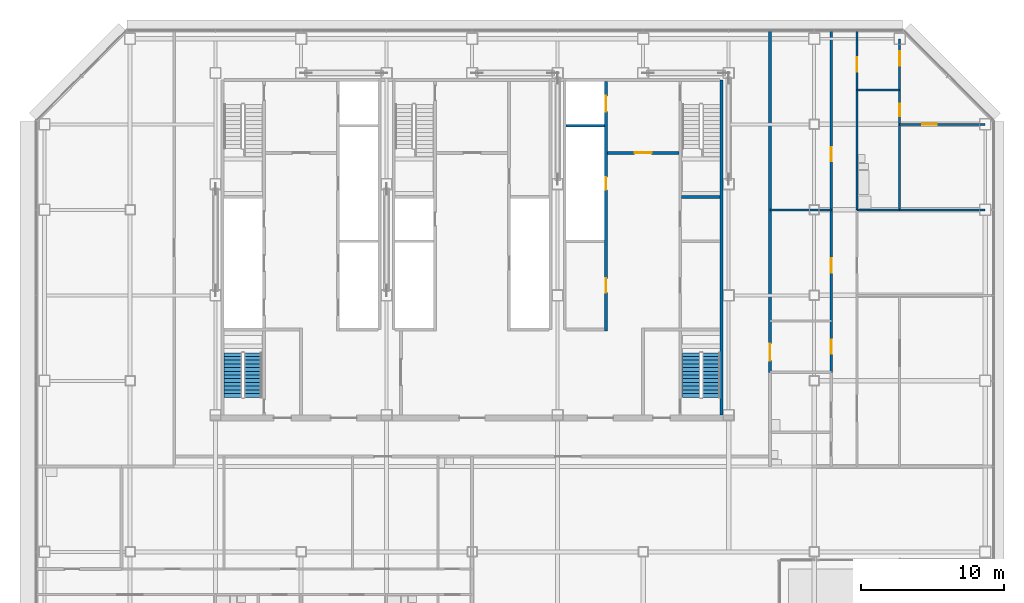
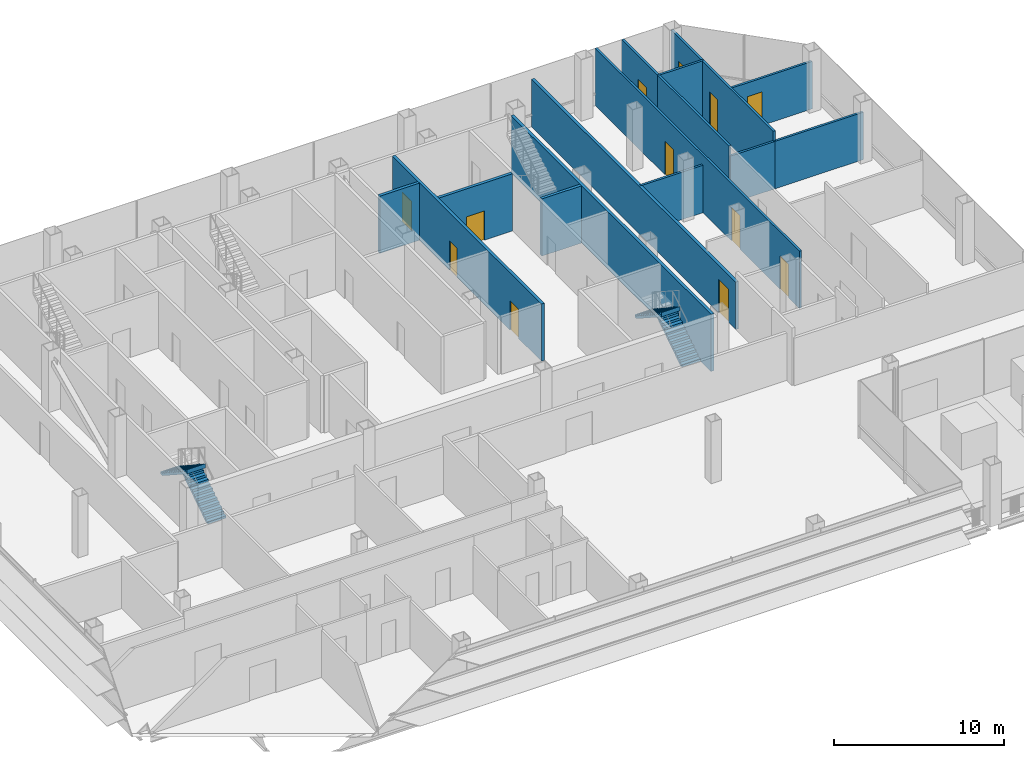
# One storey, part 22 of 28: 16 walls, 12 doors, 4 stair flights, 12 openings, 2 elements without a shape of their own.
"""IFC4 building model written with IfcOpenShell, lengths in metres."""

from ifc_helpers import new_model, si_unit, direction, frame, frame_2d, origin, place, context, subcontext, project, spatial, polyline, rectangle, outline, extrude, material, layer, layer_set, type_object, element, fill, aggregate, save


model = new_model("IFC4")

# Units and contexts
model_context = context("Model", 3, precision=1e-05, world=origin(), true_north=direction((0.0, 1.0)))
body_context = subcontext(model_context, "Body", "Model", "MODEL_VIEW")
ifc_project = project(units=[si_unit("LENGTHUNIT", "METRE"), si_unit("AREAUNIT", "SQUARE_METRE"), si_unit("VOLUMEUNIT", "CUBIC_METRE"), si_unit("PLANEANGLEUNIT", "RADIAN"), si_unit("MASSUNIT", "GRAM", prefix="KILO")], contexts=[model_context])

# Site, building, storey
site_placement = place(None, origin())
site = spatial("IfcSite", under=ifc_project, at=site_placement, CompositionType="ELEMENT")
building_placement = place(site_placement, origin())
building = spatial("IfcBuilding", under=site, at=building_placement, Name="Sorahane Residences", CompositionType="ELEMENT")
storey_placement = place(building_placement, frame((0.0, 0.0, 134.0)))
storey = spatial("IfcBuildingStorey", under=building, at=storey_placement, Name="L30", CompositionType="ELEMENT", Elevation=134.0)

# Wall
ifc_material_1 = material(Name="Concrete C30", Category="concrete")
ifc_layer_1 = layer(ifc_material_1, 0.199951171875)
ifc_layer_set_1 = layer_set([ifc_layer_1], Name="Core face wall 200 EI 180")
wall_type_1 = type_object("IfcWallType", Name="Core face wall 200 EI 180", PredefinedType="SOLIDWALL", material=ifc_layer_set_1)
wall_1_placement = place(storey_placement, frame((41.5, 21.60009765625, 0.0), z_axis=(0.0, 0.0, 1.0), x_axis=(0.0, 1.0, 0.0)))
element("IfcWall", 1, at=wall_1_placement, inside=storey, type_object=wall_type_1, Name="L30 core face wall", PredefinedType="SOLIDWALL", context=body_context, shape_type="SweptSolid", body=[
    extrude(rectangle(XDim=23.5, YDim=0.199951171875, at=frame_2d((11.75, 0.0))), origin(), (0.0, 0.0, 1.0), 4.10009765625),
])

# Wall, opening, door
ifc_material_2 = material(Name="Concrete blockwork C20 wall", Category="masonry")
ifc_layer_2 = layer(ifc_material_2, 0.199951171875)
ifc_layer_set_2 = layer_set([ifc_layer_2], Name="Corridor wall 200 EI 120")
wall_type_2 = type_object("IfcWallType", Name="Corridor wall 200 EI 120", PredefinedType="SOLIDWALL", material=ifc_layer_set_2)
wall_2_placement = place(storey_placement, frame((44.89990234375, 24.60009765625, 0.0), z_axis=(0.0, 0.0, 1.0), x_axis=(0.0, 1.0, 0.0)))
wall_2 = element("IfcWall", 2, at=wall_2_placement, inside=storey, type_object=wall_type_2, Name="L30 corridor wall", PredefinedType="SOLIDWALL", context=body_context, shape_type="SweptSolid", body=[
    extrude(rectangle(XDim=24.0, YDim=0.199951171875, at=frame_2d((12.0, 0.0))), origin(), (0.0, 0.0, 1.0), 3.39990234375),
])
opening_1_placement = place(wall_2_placement, frame((0.820068359375, 0.0, 0.0)))
opening_1 = element("IfcOpeningElement", 3, at=opening_1_placement, cuts=wall_2, Name="Opening L30-28", PredefinedType="OPENING", context=body_context, shape_type="SweptSolid", body=[
    extrude(rectangle(XDim=1.199951171875, YDim=2.39990234375, at=frame_2d((0.60009765625, 1.199951171875))), frame((0.0, 0.10986328125, 0.0), z_axis=(0.0, -1.0, 0.0), x_axis=(1.0, 0.0, 0.0)), (0.0, 0.0, 1.0), 0.219970703125),
])
ifc_material_3 = material(Name="Timber veneered fire door", Category="wood")
door_type_1 = type_object("IfcDoorType", Name="Flat entrance door 1200x2400 FD60", OperationType="NOTDEFINED", PredefinedType="DOOR", material=ifc_material_3)
door_1_placement = place(opening_1_placement, frame((1.199951171875, 0.0, 0.0), z_axis=(0.0, 0.0, 1.0), x_axis=(-1.0, 0.0, 0.0)))
door_1 = element("IfcDoor", 4, at=door_1_placement, inside=storey, type_object=door_type_1, Name="Flat entrance door L30-28", OperationType="SINGLE_SWING_RIGHT", OverallHeight=2.39990234375, OverallWidth=1.199951171875, PredefinedType="DOOR", context=body_context, shape_type="SweptSolid", body=[
    extrude(rectangle(XDim=1.199951171875, YDim=2.39990234375, at=frame_2d((0.60009765625, 1.199951171875))), frame((0.0, 0.02490234375, 0.0), z_axis=(0.0, -1.0, 0.0), x_axis=(1.0, 0.0, 0.0)), (0.0, 0.0, 1.0), 0.050048828125),
])
fill(opening_1, door_1)

ifc_material_4 = material(Name="Concrete C30", Category="concrete")
ifc_layer_3 = layer(ifc_material_4, 0.199951171875)
ifc_layer_set_3 = layer_set([ifc_layer_3], Name="Front room wall 200 EI 120")
wall_type_3 = type_object("IfcWallType", Name="Front room wall 200 EI 120", PredefinedType="PARTITIONING", material=ifc_layer_set_3)
wall_3_placement = place(storey_placement, frame((33.5, 40.0, 0.0), z_axis=(0.0, 0.0, 1.0), x_axis=(1.0, 0.0, 0.0)))
wall_3 = element("IfcWall", 5, at=wall_3_placement, inside=storey, type_object=wall_type_3, Name="L30 front room wall", PredefinedType="PARTITIONING", context=body_context, shape_type="SweptSolid", body=[
    extrude(rectangle(XDim=5.0, YDim=0.199951171875, at=frame_2d((2.5, 0.0))), origin(), (0.0, 0.0, 1.0), 4.10009765625),
])
opening_2_placement = place(wall_3_placement, frame((1.89990234375, 0.0, 0.0)))
opening_2 = element("IfcOpeningElement", 6, at=opening_2_placement, cuts=wall_3, Name="Opening L30-C09", PredefinedType="OPENING", context=body_context, shape_type="SweptSolid", body=[
    extrude(rectangle(XDim=1.199951171875, YDim=2.10009765625, at=frame_2d((0.60009765625, 1.050048828125))), frame((0.0, 0.10986328125, 0.0), z_axis=(0.0, -1.0, 0.0), x_axis=(1.0, 0.0, 0.0)), (0.0, 0.0, 1.0), 0.219970703125),
])
ifc_material_5 = material(Name="Steel", Category="steel")
door_type_2 = type_object("IfcDoorType", Name="Front room door 1200x2100 FD120", OperationType="NOTDEFINED", PredefinedType="DOOR", material=ifc_material_5)
door_2_placement = place(opening_2_placement, frame((1.199951171875, 0.0, 0.0), z_axis=(0.0, 0.0, 1.0), x_axis=(-1.0, 0.0, 0.0)))
door_2 = element("IfcDoor", 7, at=door_2_placement, inside=storey, type_object=door_type_2, Name="Front room door Firefighting lobby FF2 front room L30", OperationType="DOUBLE_DOOR_SINGLE_SWING", OverallHeight=2.10009765625, OverallWidth=1.199951171875, PredefinedType="DOOR", context=body_context, shape_type="SweptSolid", body=[
    extrude(rectangle(XDim=1.199951171875, YDim=2.10009765625, at=frame_2d((0.60009765625, 1.050048828125))), frame((0.0, 0.02490234375, 0.0), z_axis=(0.0, -1.0, 0.0), x_axis=(1.0, 0.0, 0.0)), (0.0, 0.0, 1.0), 0.050048828125),
])
fill(opening_2, door_2)

# Wall, openings, doors
ifc_material_6 = material(Name="Concrete C30", Category="concrete")
ifc_layer_4 = layer(ifc_material_6, 0.199951171875)
ifc_layer_set_4 = layer_set([ifc_layer_4], Name="Lift shaft wall 200 EI 120")
wall_type_4 = type_object("IfcWallType", Name="Lift shaft wall 200 EI 120", PredefinedType="SOLIDWALL", material=ifc_layer_set_4)
wall_4_placement = place(storey_placement, frame((33.39990234375, 27.5, 0.0), z_axis=(0.0, 0.0, 1.0), x_axis=(0.0, 1.0, 0.0)))
wall_4 = element("IfcWall", 8, at=wall_4_placement, inside=storey, type_object=wall_type_4, Name="L30 lift shaft wall", PredefinedType="SOLIDWALL", context=body_context, shape_type="SweptSolid", body=[
    extrude(rectangle(XDim=17.5, YDim=0.199951171875, at=frame_2d((8.75, 0.0))), origin(), (0.0, 0.0, 1.0), 4.10009765625),
])
opening_3_placement = place(wall_4_placement, frame((15.39990234375, 0.0, 0.0)))
opening_3 = element("IfcOpeningElement", 9, at=opening_3_placement, cuts=wall_4, Name="Opening L30-C10", PredefinedType="OPENING", context=body_context, shape_type="SweptSolid", body=[
    extrude(rectangle(XDim=1.10009765625, YDim=2.10009765625, at=frame_2d((0.550048828125, 1.050048828125))), frame((0.0, 0.10986328125, 0.0), z_axis=(0.0, -1.0, 0.0), x_axis=(1.0, 0.0, 0.0)), (0.0, 0.0, 1.0), 0.219970703125),
])
opening_4_placement = place(wall_4_placement, frame((2.699951171875, 0.0, 0.0)))
opening_4 = element("IfcOpeningElement", 10, at=opening_4_placement, cuts=wall_4, Name="Opening L30-C19", PredefinedType="OPENING", context=body_context, shape_type="SweptSolid", body=[
    extrude(rectangle(XDim=1.0, YDim=2.10009765625, at=frame_2d((0.5, 1.050048828125))), frame((0.0, 0.10986328125, 0.0), z_axis=(0.0, -1.0, 0.0), x_axis=(1.0, 0.0, 0.0)), (0.0, 0.0, 1.0), 0.219970703125),
])
opening_5_placement = place(wall_4_placement, frame((9.89990234375, 0.0, 0.0)))
opening_5 = element("IfcOpeningElement", 11, at=opening_5_placement, cuts=wall_4, Name="Opening L30-C26", PredefinedType="OPENING", context=body_context, shape_type="SweptSolid", body=[
    extrude(rectangle(XDim=0.89990234375, YDim=2.10009765625, at=frame_2d((0.449951171875, 1.050048828125))), frame((0.0, 0.10986328125, 0.0), z_axis=(0.0, -1.0, 0.0), x_axis=(1.0, 0.0, 0.0)), (0.0, 0.0, 1.0), 0.219970703125),
])
ifc_material_7 = material(Name="Aluminium and stainless steel", Category="steel")
door_type_3 = type_object("IfcDoorType", Name="Lift landing door 1100x2100 E 60", OperationType="NOTDEFINED", PredefinedType="DOOR", material=ifc_material_7)
door_3_placement = place(opening_3_placement, origin())
door_3 = element("IfcDoor", 12, at=door_3_placement, inside=storey, type_object=door_type_3, Name="Lift landing door FF2 L30", OperationType="DOUBLE_DOOR_SLIDING", OverallHeight=2.10009765625, OverallWidth=1.10009765625, PredefinedType="DOOR", context=body_context, shape_type="SweptSolid", body=[
    extrude(rectangle(XDim=1.10009765625, YDim=2.10009765625, at=frame_2d((0.550048828125, 1.050048828125))), frame((0.0, 0.02490234375, 0.0), z_axis=(0.0, -1.0, 0.0), x_axis=(1.0, 0.0, 0.0)), (0.0, 0.0, 1.0), 0.050048828125),
])
fill(opening_3, door_3)
ifc_material_8 = material(Name="Steel", Category="steel")
door_type_4 = type_object("IfcDoorType", Name="Riser door 900x2100 FD120", OperationType="NOTDEFINED", PredefinedType="DOOR", material=ifc_material_8)
door_4_placement = place(opening_5_placement, frame((0.89990234375, 0.0, 0.0), z_axis=(0.0, 0.0, 1.0), x_axis=(-1.0, 0.0, 0.0)))
door_4 = element("IfcDoor", 13, at=door_4_placement, inside=storey, type_object=door_type_4, Name="Riser door R2 L30", OperationType="SINGLE_SWING_LEFT", OverallHeight=2.10009765625, OverallWidth=0.89990234375, PredefinedType="DOOR", context=body_context, shape_type="SweptSolid", body=[
    extrude(rectangle(XDim=0.89990234375, YDim=2.10009765625, at=frame_2d((0.449951171875, 1.050048828125))), frame((0.0, 0.02490234375, 0.0), z_axis=(0.0, -1.0, 0.0), x_axis=(1.0, 0.0, 0.0)), (0.0, 0.0, 1.0), 0.050048828125),
])
fill(opening_5, door_4)
ifc_material_9 = material(Name="Steel", Category="steel")
door_type_5 = type_object("IfcDoorType", Name="Service room door 1000x2100 FD60", OperationType="NOTDEFINED", PredefinedType="DOOR", material=ifc_material_9)
door_5_placement = place(opening_4_placement, origin())
door_5 = element("IfcDoor", 14, at=door_5_placement, inside=storey, type_object=door_type_5, Name="Service room door Flower room L30", OperationType="SINGLE_SWING_RIGHT", OverallHeight=2.10009765625, OverallWidth=1.0, PredefinedType="DOOR", context=body_context, shape_type="SweptSolid", body=[
    extrude(rectangle(XDim=1.0, YDim=2.10009765625, at=frame_2d((0.5, 1.050048828125))), frame((0.0, 0.02490234375, 0.0), z_axis=(0.0, -1.0, 0.0), x_axis=(1.0, 0.0, 0.0)), (0.0, 0.0, 1.0), 0.050048828125),
])
fill(opening_4, door_5)

# Wall
wall_5_placement = place(storey_placement, frame((30.60009765625, 41.89990234375, 0.0), z_axis=(0.0, 0.0, 1.0), x_axis=(1.0, 0.0, 0.0)))
element("IfcWall", 15, at=wall_5_placement, inside=storey, type_object=wall_type_4, Name="L30 lift shaft wall", PredefinedType="SOLIDWALL", context=body_context, shape_type="SweptSolid", body=[
    extrude(rectangle(XDim=2.699951171875, YDim=0.199951171875, at=frame_2d((1.35009765625, 0.0))), origin(), (0.0, 0.0, 1.0), 4.10009765625),
])

# Wall, openings, doors
ifc_material_10 = material(Name="Gypsum board partition on steel studs", Category="steel")
ifc_layer_5 = layer(ifc_material_10, 0.14990234375)
ifc_layer_set_5 = layer_set([ifc_layer_5], Name="Partition 150 EI 90")
wall_type_5 = type_object("IfcWallType", Name="Partition 150 EI 90", PredefinedType="PARTITIONING", material=ifc_layer_set_5)
wall_6_placement = place(storey_placement, frame((49.199951171875, 24.60009765625, 0.0), z_axis=(0.0, 0.0, 1.0), x_axis=(0.0, 1.0, 0.0)))
wall_6 = element("IfcWall", 16, at=wall_6_placement, inside=storey, type_object=wall_type_5, Name="L30 partition", PredefinedType="PARTITIONING", context=body_context, shape_type="SweptSolid", body=[
    extrude(rectangle(XDim=24.0, YDim=0.14990234375, at=frame_2d((12.0, 0.0))), origin(), (0.0, 0.0, 1.0), 4.10009765625),
])
opening_6_placement = place(wall_6_placement, frame((1.300048828125, 0.0, 0.0)))
opening_6 = element("IfcOpeningElement", 17, at=opening_6_placement, cuts=wall_6, Name="Opening L30-15", PredefinedType="OPENING", context=body_context, shape_type="SweptSolid", body=[
    extrude(rectangle(XDim=1.0, YDim=2.39990234375, at=frame_2d((0.5, 1.199951171875))), frame((0.0, 0.0849609375, 0.0), z_axis=(0.0, -1.0, 0.0), x_axis=(1.0, 0.0, 0.0)), (0.0, 0.0, 1.0), 0.169921875),
])
opening_7_placement = place(wall_6_placement, frame((7.0, 0.0, 0.0)))
opening_7 = element("IfcOpeningElement", 18, at=opening_7_placement, cuts=wall_6, Name="Opening L30-18", PredefinedType="OPENING", context=body_context, shape_type="SweptSolid", body=[
    extrude(rectangle(XDim=1.0, YDim=2.39990234375, at=frame_2d((0.5, 1.199951171875))), frame((0.0, 0.0849609375, 0.0), z_axis=(0.0, -1.0, 0.0), x_axis=(1.0, 0.0, 0.0)), (0.0, 0.0, 1.0), 0.169921875),
])
opening_8_placement = place(wall_6_placement, frame((14.800048828125, 0.0, 0.0)))
opening_8 = element("IfcOpeningElement", 19, at=opening_8_placement, cuts=wall_6, Name="Opening L30-19", PredefinedType="OPENING", context=body_context, shape_type="SweptSolid", body=[
    extrude(rectangle(XDim=1.0, YDim=2.39990234375, at=frame_2d((0.5, 1.199951171875))), frame((0.0, 0.0849609375, 0.0), z_axis=(0.0, -1.0, 0.0), x_axis=(1.0, 0.0, 0.0)), (0.0, 0.0, 1.0), 0.169921875),
])
ifc_material_11 = material(Name="Timber veneered fire door", Category="wood")
door_type_6 = type_object("IfcDoorType", Name="Room door 1000x2400 FD30", OperationType="NOTDEFINED", PredefinedType="DOOR", material=ifc_material_11)
door_6_placement = place(opening_6_placement, frame((1.0, 0.0, 0.0), z_axis=(0.0, 0.0, 1.0), x_axis=(-1.0, 0.0, 0.0)))
door_6 = element("IfcDoor", 20, at=door_6_placement, inside=storey, type_object=door_type_6, Name="Room door L30-15", OperationType="SINGLE_SWING_LEFT", OverallHeight=2.39990234375, OverallWidth=1.0, PredefinedType="DOOR", context=body_context, shape_type="SweptSolid", body=[
    extrude(rectangle(XDim=1.0, YDim=2.39990234375, at=frame_2d((0.5, 1.199951171875))), frame((0.0, 0.02490234375, 0.0), z_axis=(0.0, -1.0, 0.0), x_axis=(1.0, 0.0, 0.0)), (0.0, 0.0, 1.0), 0.050048828125),
])
fill(opening_6, door_6)
door_7_placement = place(opening_7_placement, origin())
door_7 = element("IfcDoor", 21, at=door_7_placement, inside=storey, type_object=door_type_6, Name="Room door L30-18", OperationType="SINGLE_SWING_LEFT", OverallHeight=2.39990234375, OverallWidth=1.0, PredefinedType="DOOR", context=body_context, shape_type="SweptSolid", body=[
    extrude(rectangle(XDim=1.0, YDim=2.39990234375, at=frame_2d((0.5, 1.199951171875))), frame((0.0, 0.02490234375, 0.0), z_axis=(0.0, -1.0, 0.0), x_axis=(1.0, 0.0, 0.0)), (0.0, 0.0, 1.0), 0.050048828125),
])
fill(opening_7, door_7)
door_8_placement = place(opening_8_placement, origin())
door_8 = element("IfcDoor", 22, at=door_8_placement, inside=storey, type_object=door_type_6, Name="Room door L30-19", OperationType="SINGLE_SWING_LEFT", OverallHeight=2.39990234375, OverallWidth=1.0, PredefinedType="DOOR", context=body_context, shape_type="SweptSolid", body=[
    extrude(rectangle(XDim=1.0, YDim=2.39990234375, at=frame_2d((0.5, 1.199951171875))), frame((0.0, 0.02490234375, 0.0), z_axis=(0.0, -1.0, 0.0), x_axis=(1.0, 0.0, 0.0)), (0.0, 0.0, 1.0), 0.050048828125),
])
fill(opening_8, door_8)

# Wall, opening, door
wall_7_placement = place(storey_placement, frame((51.0, 44.39990234375, 0.0), z_axis=(0.0, 0.0, 1.0), x_axis=(0.0, 1.0, 0.0)))
wall_7 = element("IfcWall", 23, at=wall_7_placement, inside=storey, type_object=wall_type_5, Name="L30 partition", PredefinedType="PARTITIONING", context=body_context, shape_type="SweptSolid", body=[
    extrude(rectangle(XDim=4.2001953125, YDim=0.14990234375, at=frame_2d((2.10009765625, 0.0))), origin(), (0.0, 0.0, 1.0), 4.10009765625),
])
opening_9_placement = place(wall_7_placement, frame((1.300048828125, 0.0, 0.0)))
opening_9 = element("IfcOpeningElement", 24, at=opening_9_placement, cuts=wall_7, Name="Opening L30-22", PredefinedType="OPENING", context=body_context, shape_type="SweptSolid", body=[
    extrude(rectangle(XDim=1.0, YDim=2.39990234375, at=frame_2d((0.5, 1.199951171875))), frame((0.0, 0.0849609375, 0.0), z_axis=(0.0, -1.0, 0.0), x_axis=(1.0, 0.0, 0.0)), (0.0, 0.0, 1.0), 0.169921875),
])
door_9_placement = place(opening_9_placement, frame((1.0, 0.0, 0.0), z_axis=(0.0, 0.0, 1.0), x_axis=(-1.0, 0.0, 0.0)))
door_9 = element("IfcDoor", 25, at=door_9_placement, inside=storey, type_object=door_type_6, Name="Room door L30-22", OperationType="SINGLE_SWING_RIGHT", OverallHeight=2.39990234375, OverallWidth=1.0, PredefinedType="DOOR", context=body_context, shape_type="SweptSolid", body=[
    extrude(rectangle(XDim=1.0, YDim=2.39990234375, at=frame_2d((0.5, 1.199951171875))), frame((0.0, 0.02490234375, 0.0), z_axis=(0.0, -1.0, 0.0), x_axis=(1.0, 0.0, 0.0)), (0.0, 0.0, 1.0), 0.050048828125),
])
fill(opening_9, door_9)

wall_8_placement = place(storey_placement, frame((54.0, 44.39990234375, 0.0), z_axis=(0.0, 0.0, 1.0), x_axis=(0.0, 1.0, 0.0)))
wall_8 = element("IfcWall", 26, at=wall_8_placement, inside=storey, type_object=wall_type_5, Name="L30 partition", PredefinedType="PARTITIONING", context=body_context, shape_type="SweptSolid", body=[
    extrude(rectangle(XDim=3.60009765625, YDim=0.14990234375, at=frame_2d((1.800048828125, 0.0))), origin(), (0.0, 0.0, 1.0), 4.10009765625),
])
opening_10_placement = place(wall_8_placement, frame((1.719970703125, 0.0, 0.0)))
opening_10 = element("IfcOpeningElement", 27, at=opening_10_placement, cuts=wall_8, Name="Opening L30-24", PredefinedType="OPENING", context=body_context, shape_type="SweptSolid", body=[
    extrude(rectangle(XDim=1.0, YDim=2.39990234375, at=frame_2d((0.5, 1.199951171875))), frame((0.0, 0.0849609375, 0.0), z_axis=(0.0, -1.0, 0.0), x_axis=(1.0, 0.0, 0.0)), (0.0, 0.0, 1.0), 0.169921875),
])
door_10_placement = place(opening_10_placement, frame((1.0, 0.0, 0.0), z_axis=(0.0, 0.0, 1.0), x_axis=(-1.0, 0.0, 0.0)))
door_10 = element("IfcDoor", 28, at=door_10_placement, inside=storey, type_object=door_type_6, Name="Room door L30-24", OperationType="SINGLE_SWING_LEFT", OverallHeight=2.39990234375, OverallWidth=1.0, PredefinedType="DOOR", context=body_context, shape_type="SweptSolid", body=[
    extrude(rectangle(XDim=1.0, YDim=2.39990234375, at=frame_2d((0.5, 1.199951171875))), frame((0.0, 0.02490234375, 0.0), z_axis=(0.0, -1.0, 0.0), x_axis=(1.0, 0.0, 0.0)), (0.0, 0.0, 1.0), 0.050048828125),
])
fill(opening_10, door_10)

# Walls
wall_9_placement = place(storey_placement, frame((44.89990234375, 36.0, 0.0), z_axis=(0.0, 0.0, 1.0), x_axis=(1.0, 0.0, 0.0)))
element("IfcWall", 29, at=wall_9_placement, inside=storey, type_object=wall_type_5, Name="L30 partition", PredefinedType="PARTITIONING", context=body_context, shape_type="SweptSolid", body=[
    extrude(rectangle(XDim=4.300048828125, YDim=0.14990234375, at=frame_2d((2.14990234375, 0.0))), origin(), (0.0, 0.0, 1.0), 3.39990234375),
])
wall_10_placement = place(storey_placement, frame((54.0, 36.0, 0.0), z_axis=(0.0, 0.0, 1.0), x_axis=(1.0, 0.0, 0.0)))
element("IfcWall", 30, at=wall_10_placement, inside=storey, type_object=wall_type_5, Name="L30 partition", PredefinedType="PARTITIONING", context=body_context, shape_type="SweptSolid", body=[
    extrude(rectangle(XDim=6.0, YDim=0.14990234375, at=frame_2d((3.0, 0.0))), origin(), (0.0, 0.0, 1.0), 3.39990234375),
])

# Wall, opening, door
wall_11_placement = place(storey_placement, frame((54.0, 42.0, 0.0), z_axis=(0.0, 0.0, 1.0), x_axis=(1.0, 0.0, 0.0)))
wall_11 = element("IfcWall", 31, at=wall_11_placement, inside=storey, type_object=wall_type_5, Name="L30 partition", PredefinedType="PARTITIONING", context=body_context, shape_type="SweptSolid", body=[
    extrude(rectangle(XDim=6.0, YDim=0.14990234375, at=frame_2d((3.0, 0.0))), origin(), (0.0, 0.0, 1.0), 3.39990234375),
])
opening_11_placement = place(wall_11_placement, frame((1.60009765625, 0.0, 0.0)))
opening_11 = element("IfcOpeningElement", 32, at=opening_11_placement, cuts=wall_11, Name="Opening L30-25", PredefinedType="OPENING", context=body_context, shape_type="SweptSolid", body=[
    extrude(rectangle(XDim=1.0, YDim=2.39990234375, at=frame_2d((0.5, 1.199951171875))), frame((0.0, 0.0849609375, 0.0), z_axis=(0.0, -1.0, 0.0), x_axis=(1.0, 0.0, 0.0)), (0.0, 0.0, 1.0), 0.169921875),
])
door_11_placement = place(opening_11_placement, frame((1.0, 0.0, 0.0), z_axis=(0.0, 0.0, 1.0), x_axis=(-1.0, 0.0, 0.0)))
door_11 = element("IfcDoor", 33, at=door_11_placement, inside=storey, type_object=door_type_6, Name="Room door L30-25", OperationType="SINGLE_SWING_RIGHT", OverallHeight=2.39990234375, OverallWidth=1.0, PredefinedType="DOOR", context=body_context, shape_type="SweptSolid", body=[
    extrude(rectangle(XDim=1.0, YDim=2.39990234375, at=frame_2d((0.5, 1.199951171875))), frame((0.0, 0.02490234375, 0.0), z_axis=(0.0, -1.0, 0.0), x_axis=(1.0, 0.0, 0.0)), (0.0, 0.0, 1.0), 0.050048828125),
])
fill(opening_11, door_11)

# Walls
ifc_material_12 = material(Name="Concrete C30", Category="concrete")
ifc_layer_6 = layer(ifc_material_12, 0.199951171875)
ifc_layer_set_6 = layer_set([ifc_layer_6], Name="Stair enclosure wall 200 EI 120")
wall_type_6 = type_object("IfcWallType", Name="Stair enclosure wall 200 EI 120", PredefinedType="SOLIDWALL", material=ifc_layer_set_6)
wall_12_placement = place(storey_placement, frame((38.699951171875, 36.89990234375, 0.0), z_axis=(0.0, 0.0, 1.0), x_axis=(1.0, 0.0, 0.0)))
element("IfcWall", 34, at=wall_12_placement, inside=storey, type_object=wall_type_6, Name="L30 stair enclosure wall", PredefinedType="SOLIDWALL", context=body_context, shape_type="SweptSolid", body=[
    extrude(rectangle(XDim=2.699951171875, YDim=0.199951171875, at=frame_2d((1.35009765625, 0.0))), origin(), (0.0, 0.0, 1.0), 4.10009765625),
])
ifc_material_13 = material(Name="Gypsum board partition on steel studs", Category="steel")
ifc_layer_7 = layer(ifc_material_13, 0.14990234375)
ifc_layer_set_7 = layer_set([ifc_layer_7], Name="Wet wall 150 EI 90")
wall_type_7 = type_object("IfcWallType", Name="Wet wall 150 EI 90", PredefinedType="PARTITIONING", material=ifc_layer_set_7)
wall_13_placement = place(storey_placement, frame((51.0, 36.0, 0.0), z_axis=(0.0, 0.0, 1.0), x_axis=(0.0, 1.0, 0.0)))
element("IfcWall", 35, at=wall_13_placement, inside=storey, type_object=wall_type_7, Name="L30 wet wall", PredefinedType="PARTITIONING", context=body_context, shape_type="SweptSolid", body=[
    extrude(rectangle(XDim=8.39990234375, YDim=0.14990234375, at=frame_2d((4.199951171875, 0.0))), origin(), (0.0, 0.0, 1.0), 4.10009765625),
])

# Wall, opening, door
wall_14_placement = place(storey_placement, frame((54.0, 36.0, 0.0), z_axis=(0.0, 0.0, 1.0), x_axis=(0.0, 1.0, 0.0)))
wall_14 = element("IfcWall", 36, at=wall_14_placement, inside=storey, type_object=wall_type_7, Name="L30 wet wall", PredefinedType="PARTITIONING", context=body_context, shape_type="SweptSolid", body=[
    extrude(rectangle(XDim=8.39990234375, YDim=0.14990234375, at=frame_2d((4.199951171875, 0.0))), origin(), (0.0, 0.0, 1.0), 4.10009765625),
])
opening_12_placement = place(wall_14_placement, frame((6.550048828125, 0.0, 0.0)))
opening_12 = element("IfcOpeningElement", 37, at=opening_12_placement, cuts=wall_14, Name="Opening L30-26", PredefinedType="OPENING", context=body_context, shape_type="SweptSolid", body=[
    extrude(rectangle(XDim=0.89990234375, YDim=2.39990234375, at=frame_2d((0.449951171875, 1.199951171875))), frame((0.0, 0.0849609375, 0.0), z_axis=(0.0, -1.0, 0.0), x_axis=(1.0, 0.0, 0.0)), (0.0, 0.0, 1.0), 0.169921875),
])
ifc_material_14 = material(Name="Timber veneered fire door", Category="wood")
door_type_7 = type_object("IfcDoorType", Name="Bathroom door 900x2400 FD30", OperationType="NOTDEFINED", PredefinedType="DOOR", material=ifc_material_14)
door_12_placement = place(opening_12_placement, frame((0.89990234375, 0.0, 0.0), z_axis=(0.0, 0.0, 1.0), x_axis=(-1.0, 0.0, 0.0)))
door_12 = element("IfcDoor", 38, at=door_12_placement, inside=storey, type_object=door_type_7, Name="Bathroom door L30-26", OperationType="SINGLE_SWING_LEFT", OverallHeight=2.39990234375, OverallWidth=0.89990234375, PredefinedType="DOOR", context=body_context, shape_type="SweptSolid", body=[
    extrude(rectangle(XDim=0.89990234375, YDim=2.39990234375, at=frame_2d((0.449951171875, 1.199951171875))), frame((0.0, 0.02490234375, 0.0), z_axis=(0.0, -1.0, 0.0), x_axis=(1.0, 0.0, 0.0)), (0.0, 0.0, 1.0), 0.050048828125),
])
fill(opening_12, door_12)

# Walls
wall_15_placement = place(storey_placement, frame((51.0, 36.0, 0.0), z_axis=(0.0, 0.0, 1.0), x_axis=(1.0, 0.0, 0.0)))
element("IfcWall", 39, at=wall_15_placement, inside=storey, type_object=wall_type_7, Name="L30 wet wall", PredefinedType="PARTITIONING", context=body_context, shape_type="SweptSolid", body=[
    extrude(rectangle(XDim=3.0, YDim=0.14990234375, at=frame_2d((1.5, 0.0))), origin(), (0.0, 0.0, 1.0), 3.39990234375),
])
wall_16_placement = place(storey_placement, frame((51.0, 44.39990234375, 0.0), z_axis=(0.0, 0.0, 1.0), x_axis=(1.0, 0.0, 0.0)))
element("IfcWall", 40, at=wall_16_placement, inside=storey, type_object=wall_type_7, Name="L30 wet wall", PredefinedType="PARTITIONING", context=body_context, shape_type="SweptSolid", body=[
    extrude(rectangle(XDim=3.0, YDim=0.14990234375, at=frame_2d((1.5, 0.0))), origin(), (0.0, 0.0, 1.0), 4.10009765625),
])

# Stair, stair flights
ifc_material_15 = material(Name="Concrete C40", Category="concrete")
stair_type = type_object("IfcStairType", Name="Dog-leg stair 1250 Concrete C40", PredefinedType="HALF_TURN_STAIR", material=ifc_material_15)
stair_1_placement = place(storey_placement, origin())
stair_1 = element("IfcStair", 41, at=stair_1_placement, inside=storey, type_object=stair_type, Name="L30 Stair S4", PredefinedType="HALF_TURN_STAIR")
ifc_material_16 = material(Name="Concrete C40", Category="concrete")
stair_flight_type = type_object("IfcStairFlightType", Name="Stair flight 1250 Concrete C40", PredefinedType="STRAIGHT", material=ifc_material_16)
stair_flight_1_placement = place(storey_placement, frame((8.625, 22.85009765625, 0.0), z_axis=(0.0, 0.0, 1.0), x_axis=(0.0, 1.0, 0.0)))
stair_flight_1 = element("IfcStairFlight", 42, at=stair_flight_1_placement, type_object=stair_flight_type, Name="S4 flight 1", NumberOfRisers=13, NumberOfTreads=12, PredefinedType="STRAIGHT", RiserHeight=0.169230769, TreadLength=0.26, context=body_context, shape_type="SweptSolid", body=[
    extrude(outline(polyline([(-0.00146484375, 0.0), (-0.00146484375, 0.169189453125), (0.0, 0.169189453125), (0.260009765625, 0.169189453125), (0.260009765625, 0.33837890625), (0.52001953125, 0.33837890625), (0.52001953125, 0.5078125), (0.780029296875, 0.5078125), (0.780029296875, 0.677001953125), (1.0400390625, 0.677001953125), (1.0400390625, 0.84619140625), (1.300048828125, 0.84619140625), (1.300048828125, 1.015380859375), (1.56005859375, 1.015380859375), (1.56005859375, 1.1845703125), (1.820068359375, 1.1845703125), (1.820068359375, 1.353759765625), (2.080078125, 1.353759765625), (2.080078125, 1.523193359375), (2.340087890625, 1.523193359375), (2.340087890625, 1.6923828125), (2.60009765625, 1.6923828125), (2.60009765625, 1.861572265625), (2.860107421875, 1.861572265625), (2.860107421875, 2.03076171875), (3.1201171875, 2.03076171875), (3.1201171875, 2.199951171875), (3.1201171875, 1.887451171875), (2.912841796875, 1.752685546875), (2.705810546875, 1.617919921875), (2.49853515625, 1.48291015625), (2.29150390625, 1.34814453125), (2.08447265625, 1.21337890625), (1.877197265625, 1.07861328125), (1.670166015625, 0.943603515625), (1.462890625, 0.808837890625), (1.255859375, 0.674072265625), (1.048828125, 0.539306640625), (0.841552734375, 0.404541015625), (0.634521484375, 0.26953125), (0.42724609375, 0.134765625), (0.22021484375, 0.0), (-0.00146484375, 0.0)])), frame((0.0, 0.625, 0.0), z_axis=(0.0, -1.0, 0.0), x_axis=(1.0, 0.0, 0.0)), (0.0, 0.0, 1.0), 1.25),
])
stair_flight_2_placement = place(storey_placement, frame((7.22509765625, 25.969970703125, 2.199951171875), z_axis=(0.0, 0.0, 1.0), x_axis=(0.0, -1.0, 0.0)))
stair_flight_2 = element("IfcStairFlight", 43, at=stair_flight_2_placement, type_object=stair_flight_type, Name="S4 flight 2", NumberOfRisers=13, NumberOfTreads=12, PredefinedType="STRAIGHT", RiserHeight=0.169230769, TreadLength=0.26, context=body_context, shape_type="SweptSolid", body=[
    extrude(outline(polyline([(0.0, 0.0), (0.0, 0.169189453125), (0.260009765625, 0.169189453125), (0.260009765625, 0.33837890625), (0.52001953125, 0.33837890625), (0.52001953125, 0.5078125), (0.780029296875, 0.5078125), (0.780029296875, 0.677001953125), (1.0400390625, 0.677001953125), (1.0400390625, 0.84619140625), (1.300048828125, 0.84619140625), (1.300048828125, 1.015380859375), (1.56005859375, 1.015380859375), (1.56005859375, 1.1845703125), (1.820068359375, 1.1845703125), (1.820068359375, 1.353759765625), (2.080078125, 1.353759765625), (2.080078125, 1.523193359375), (2.340087890625, 1.523193359375), (2.340087890625, 1.6923828125), (2.60009765625, 1.6923828125), (2.60009765625, 1.861572265625), (2.860107421875, 1.861572265625), (2.860107421875, 2.03076171875), (3.1201171875, 2.03076171875), (3.1201171875, 2.199951171875), (3.12158203125, 2.199951171875), (3.12158203125, 1.887451171875), (2.914306640625, 1.752685546875), (2.70703125, 1.617919921875), (2.499755859375, 1.48291015625), (2.29248046875, 1.34814453125), (2.085205078125, 1.21337890625), (1.878173828125, 1.07861328125), (1.6708984375, 0.943603515625), (1.463623046875, 0.808837890625), (1.25634765625, 0.674072265625), (1.049072265625, 0.539306640625), (0.841796875, 0.404541015625), (0.634765625, 0.26953125), (0.427490234375, 0.134765625), (0.22021484375, 0.0), (0.0, 0.0)])), frame((0.0, 0.625, 0.0), z_axis=(0.0, -1.0, 0.0), x_axis=(1.0, 0.0, 0.0)), (0.0, 0.0, 1.0), 1.25),
])
aggregate(stair_1, [stair_flight_1, stair_flight_2])

stair_2_placement = place(storey_placement, origin())
stair_2 = element("IfcStair", 44, at=stair_2_placement, inside=storey, type_object=stair_type, Name="L30 Stair S5", PredefinedType="HALF_TURN_STAIR")
stair_flight_3_placement = place(storey_placement, frame((40.77490234375, 22.85009765625, 0.0), z_axis=(0.0, 0.0, 1.0), x_axis=(0.0, 1.0, 0.0)))
stair_flight_3 = element("IfcStairFlight", 45, at=stair_flight_3_placement, type_object=stair_flight_type, Name="S5 flight 1", NumberOfRisers=13, NumberOfTreads=12, PredefinedType="STRAIGHT", RiserHeight=0.169230769, TreadLength=0.26, context=body_context, shape_type="SweptSolid", body=[
    extrude(outline(polyline([(-0.00146484375, 0.0), (-0.00146484375, 0.169189453125), (0.0, 0.169189453125), (0.260009765625, 0.169189453125), (0.260009765625, 0.33837890625), (0.52001953125, 0.33837890625), (0.52001953125, 0.5078125), (0.780029296875, 0.5078125), (0.780029296875, 0.677001953125), (1.0400390625, 0.677001953125), (1.0400390625, 0.84619140625), (1.300048828125, 0.84619140625), (1.300048828125, 1.015380859375), (1.56005859375, 1.015380859375), (1.56005859375, 1.1845703125), (1.820068359375, 1.1845703125), (1.820068359375, 1.353759765625), (2.080078125, 1.353759765625), (2.080078125, 1.523193359375), (2.340087890625, 1.523193359375), (2.340087890625, 1.6923828125), (2.60009765625, 1.6923828125), (2.60009765625, 1.861572265625), (2.860107421875, 1.861572265625), (2.860107421875, 2.03076171875), (3.1201171875, 2.03076171875), (3.1201171875, 2.199951171875), (3.1201171875, 1.887451171875), (2.912841796875, 1.752685546875), (2.705810546875, 1.617919921875), (2.49853515625, 1.48291015625), (2.29150390625, 1.34814453125), (2.08447265625, 1.21337890625), (1.877197265625, 1.07861328125), (1.670166015625, 0.943603515625), (1.462890625, 0.808837890625), (1.255859375, 0.674072265625), (1.048828125, 0.539306640625), (0.841552734375, 0.404541015625), (0.634521484375, 0.26953125), (0.42724609375, 0.134765625), (0.22021484375, 0.0), (-0.00146484375, 0.0)])), frame((0.0, 0.625, 0.0), z_axis=(0.0, -1.0, 0.0), x_axis=(1.0, 0.0, 0.0)), (0.0, 0.0, 1.0), 1.25),
])
stair_flight_4_placement = place(storey_placement, frame((39.375, 25.969970703125, 2.199951171875), z_axis=(0.0, 0.0, 1.0), x_axis=(0.0, -1.0, 0.0)))
stair_flight_4 = element("IfcStairFlight", 46, at=stair_flight_4_placement, type_object=stair_flight_type, Name="S5 flight 2", NumberOfRisers=13, NumberOfTreads=12, PredefinedType="STRAIGHT", RiserHeight=0.169230769, TreadLength=0.26, context=body_context, shape_type="SweptSolid", body=[
    extrude(outline(polyline([(0.0, 0.0), (0.0, 0.169189453125), (0.260009765625, 0.169189453125), (0.260009765625, 0.33837890625), (0.52001953125, 0.33837890625), (0.52001953125, 0.5078125), (0.780029296875, 0.5078125), (0.780029296875, 0.677001953125), (1.0400390625, 0.677001953125), (1.0400390625, 0.84619140625), (1.300048828125, 0.84619140625), (1.300048828125, 1.015380859375), (1.56005859375, 1.015380859375), (1.56005859375, 1.1845703125), (1.820068359375, 1.1845703125), (1.820068359375, 1.353759765625), (2.080078125, 1.353759765625), (2.080078125, 1.523193359375), (2.340087890625, 1.523193359375), (2.340087890625, 1.6923828125), (2.60009765625, 1.6923828125), (2.60009765625, 1.861572265625), (2.860107421875, 1.861572265625), (2.860107421875, 2.03076171875), (3.1201171875, 2.03076171875), (3.1201171875, 2.199951171875), (3.12158203125, 2.199951171875), (3.12158203125, 1.887451171875), (2.914306640625, 1.752685546875), (2.70703125, 1.617919921875), (2.499755859375, 1.48291015625), (2.29248046875, 1.34814453125), (2.085205078125, 1.21337890625), (1.878173828125, 1.07861328125), (1.6708984375, 0.943603515625), (1.463623046875, 0.808837890625), (1.25634765625, 0.674072265625), (1.049072265625, 0.539306640625), (0.841796875, 0.404541015625), (0.634765625, 0.26953125), (0.427490234375, 0.134765625), (0.22021484375, 0.0), (0.0, 0.0)])), frame((0.0, 0.625, 0.0), z_axis=(0.0, -1.0, 0.0), x_axis=(1.0, 0.0, 0.0)), (0.0, 0.0, 1.0), 1.25),
])
aggregate(stair_2, [stair_flight_3, stair_flight_4])

save(model, "model.ifc")
